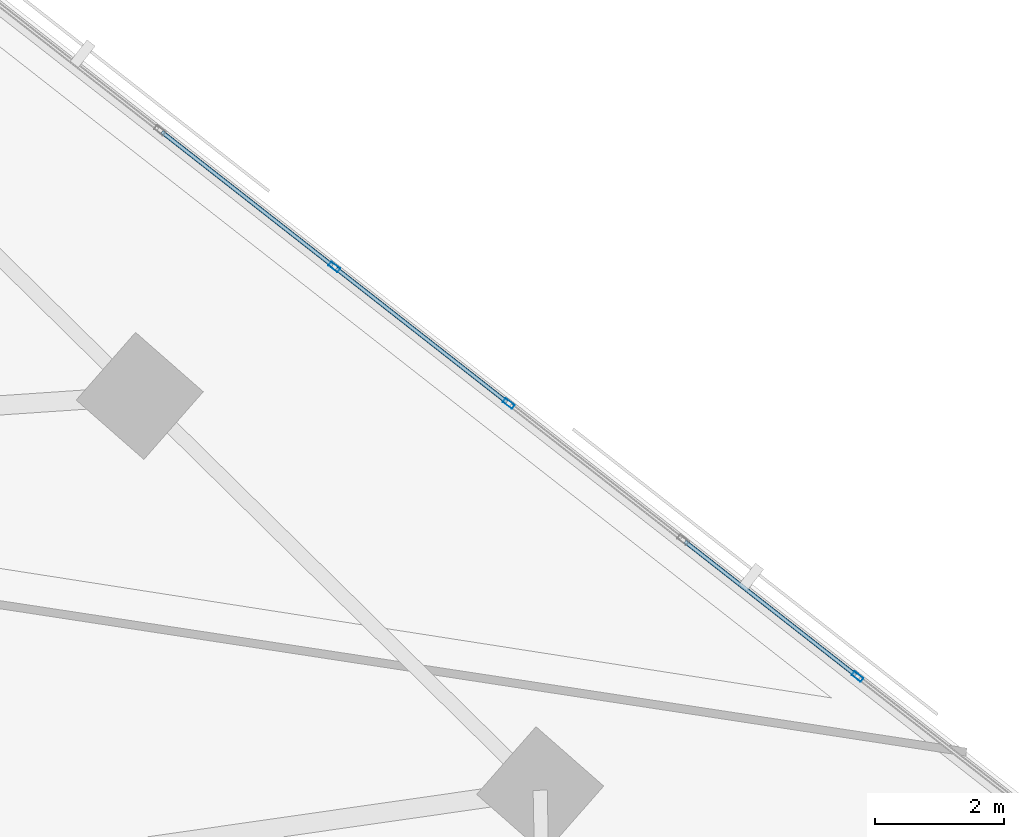
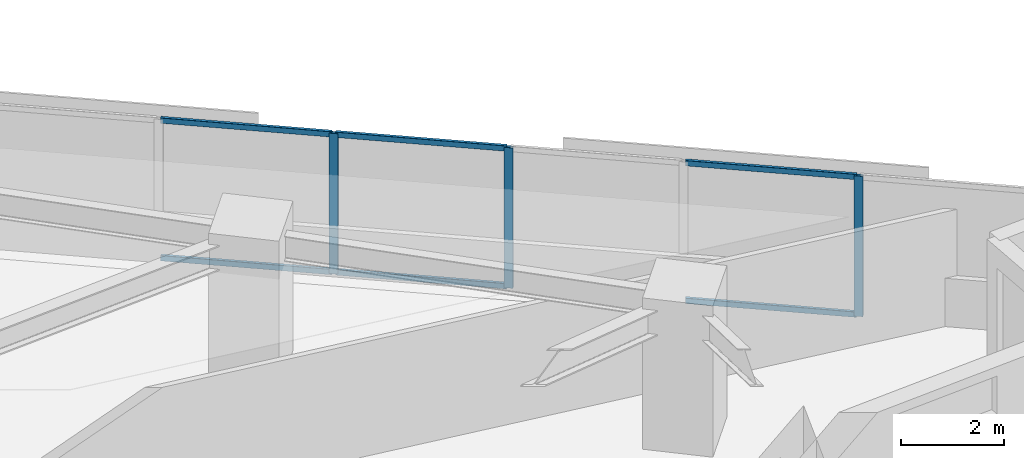
# One storey, part 5 of 16: 9 members, 1 element without a shape of its own.
"""IFC4 building model written with IfcOpenShell, lengths in metres."""

from ifc_helpers import new_model, si_unit, direction, frame, origin, origin_2d, place, context, subcontext, project, spatial, hollow_rectangle, extrude, material, material_profile, profile_set, type_object, element, aggregate, save


model = new_model("IFC4")

# Units and contexts
model_context = context("Model", 3, precision=1e-05, world=origin(), true_north=direction((0.0, 1.0)))
body_context = subcontext(model_context, "Body", "Model", "MODEL_VIEW")
ifc_project = project(units=[si_unit("LENGTHUNIT", "METRE"), si_unit("AREAUNIT", "SQUARE_METRE"), si_unit("VOLUMEUNIT", "CUBIC_METRE"), si_unit("PLANEANGLEUNIT", "RADIAN"), si_unit("MASSUNIT", "GRAM", prefix="KILO")], contexts=[model_context])

# Site, building, storey
site_placement = place(None, origin())
site = spatial("IfcSite", under=ifc_project, at=site_placement, CompositionType="ELEMENT")
building_placement = place(site_placement, origin())
building = spatial("IfcBuilding", under=site, at=building_placement, Name="Narakoshi Arena Tower", CompositionType="ELEMENT")
storey_placement = place(building_placement, frame((0.0, 0.0, 88.5)))
storey = spatial("IfcBuildingStorey", under=building, at=storey_placement, Name="L23", CompositionType="ELEMENT", Elevation=88.5)

# Curtain wall, members
ifc_material = material(Name="Anodised bronze aluminium 6063-T6", Category="aluminium")
curtain_wall_type = type_object("IfcCurtainWallType", Name="CW-HYP-LOW", PredefinedType="NOTDEFINED", material=ifc_material)
curtain_wall_placement = place(storey_placement, origin())
curtain_wall = element("IfcCurtainWall", 1, at=curtain_wall_placement, inside=storey, type_object=curtain_wall_type, Name="L23 Folded Hypotenuse Curtain Wall 1-1", PredefinedType="NOTDEFINED")
ifc_material_profile_1 = material_profile(ifc_material, hollow_rectangle(XDim=0.074951171875, YDim=0.179931640625, WallThickness=0.00390625, OuterFilletRadius=0.0048828125, at=origin_2d()), Name="MUL180x75x4")
ifc_profile_set_1 = profile_set([ifc_material_profile_1], Name="Anodised bronze aluminium 6063-T6")
member_type_1 = type_object("IfcMemberType", Name="MEM-MUL-180", PredefinedType="MULLION", material=ifc_profile_set_1)
member_1_placement = place(storey_placement, frame((118.150634765625, 40.435791015625, 0.0), z_axis=(0.0, 0.0, 1.0), x_axis=(-0.616458234641, -0.787387607817, 0.0)))
member_1 = element("IfcMember", 2, at=member_1_placement, type_object=member_type_1, Name="CW-01 mullion 2", PredefinedType="MULLION", context=body_context, shape_type="SweptSolid", body=[
    extrude(hollow_rectangle(XDim=0.074951171875, YDim=0.179931640625, WallThickness=0.00390625, OuterFilletRadius=0.0048828125, at=origin_2d()), origin(), (0.0, 0.0, 1.0), 3.340087890625),
])
member_2_placement = place(storey_placement, frame((112.7275390625, 44.681640625, 0.0), z_axis=(0.0, 0.0, 1.0), x_axis=(-0.616458234641, -0.787387607817, 0.0)))
member_2 = element("IfcMember", 3, at=member_2_placement, type_object=member_type_1, Name="CW-01 mullion 4", PredefinedType="MULLION", context=body_context, shape_type="SweptSolid", body=[
    extrude(hollow_rectangle(XDim=0.074951171875, YDim=0.179931640625, WallThickness=0.00390625, OuterFilletRadius=0.0048828125, at=origin_2d()), origin(), (0.0, 0.0, 1.0), 3.340087890625),
])
member_3_placement = place(storey_placement, frame((110.015869140625, 46.8046875, 0.0), z_axis=(0.0, 0.0, 1.0), x_axis=(-0.616458234641, -0.787387607817, 0.0)))
member_3 = element("IfcMember", 4, at=member_3_placement, type_object=member_type_1, Name="CW-01 mullion 5", PredefinedType="MULLION", context=body_context, shape_type="SweptSolid", body=[
    extrude(hollow_rectangle(XDim=0.074951171875, YDim=0.179931640625, WallThickness=0.00390625, OuterFilletRadius=0.0048828125, at=origin_2d()), origin(), (0.0, 0.0, 1.0), 3.340087890625),
])
ifc_material_profile_2 = material_profile(ifc_material, hollow_rectangle(XDim=0.06494140625, YDim=0.1298828125, WallThickness=0.00390625, OuterFilletRadius=0.0048828125, at=origin_2d()), Name="TRN130x65x4")
ifc_profile_set_2 = profile_set([ifc_material_profile_2], Name="Anodised bronze aluminium 6063-T6")
member_type_2 = type_object("IfcMemberType", Name="MEM-TRN-130", PredefinedType="USERDEFINED", material=ifc_profile_set_2)
member_4_placement = place(storey_placement, frame((118.12109375, 40.458984375, 0.032470703125), z_axis=(-0.787400998112, 0.616441131149, 0.0), x_axis=(-0.616441131149, -0.787400998112, 0.0)))
member_4 = element("IfcMember", 5, at=member_4_placement, type_object=member_type_2, Name="CW-01 transom 2.1", ObjectType="TRANSOM", PredefinedType="USERDEFINED", context=body_context, shape_type="SweptSolid", body=[
    extrude(hollow_rectangle(XDim=0.06494140625, YDim=0.1298828125, WallThickness=0.00390625, OuterFilletRadius=0.0048828125, at=origin_2d()), origin(), (0.0, 0.0, 1.0), 3.368896484375),
])
member_5_placement = place(storey_placement, frame((118.12109375, 40.458984375, 3.3076171875), z_axis=(-0.787400998112, 0.616441131149, 0.0), x_axis=(-0.616441131149, -0.787400998112, 0.0)))
member_5 = element("IfcMember", 6, at=member_5_placement, type_object=member_type_2, Name="CW-01 transom 2.2", ObjectType="TRANSOM", PredefinedType="USERDEFINED", context=body_context, shape_type="SweptSolid", body=[
    extrude(hollow_rectangle(XDim=0.06494140625, YDim=0.1298828125, WallThickness=0.00390625, OuterFilletRadius=0.0048828125, at=origin_2d()), origin(), (0.0, 0.0, 1.0), 3.368896484375),
])
member_6_placement = place(storey_placement, frame((112.697998046875, 44.704833984375, 0.032470703125), z_axis=(-0.787400998112, 0.616441131149, 0.0), x_axis=(-0.616441131149, -0.787400998112, 0.0)))
member_6 = element("IfcMember", 7, at=member_6_placement, type_object=member_type_2, Name="CW-01 transom 4.1", ObjectType="TRANSOM", PredefinedType="USERDEFINED", context=body_context, shape_type="SweptSolid", body=[
    extrude(hollow_rectangle(XDim=0.06494140625, YDim=0.1298828125, WallThickness=0.00390625, OuterFilletRadius=0.0048828125, at=origin_2d()), origin(), (0.0, 0.0, 1.0), 3.368896484375),
])
member_7_placement = place(storey_placement, frame((112.697998046875, 44.704833984375, 3.3076171875), z_axis=(-0.787400998112, 0.616441131149, 0.0), x_axis=(-0.616441131149, -0.787400998112, 0.0)))
member_7 = element("IfcMember", 8, at=member_7_placement, type_object=member_type_2, Name="CW-01 transom 4.2", ObjectType="TRANSOM", PredefinedType="USERDEFINED", context=body_context, shape_type="SweptSolid", body=[
    extrude(hollow_rectangle(XDim=0.06494140625, YDim=0.1298828125, WallThickness=0.00390625, OuterFilletRadius=0.0048828125, at=origin_2d()), origin(), (0.0, 0.0, 1.0), 3.368896484375),
])
member_8_placement = place(storey_placement, frame((109.986328125, 46.827880859375, 0.032470703125), z_axis=(-0.787373456673, 0.616476309137, 0.0), x_axis=(-0.616476309137, -0.787373456673, 0.0)))
member_8 = element("IfcMember", 9, at=member_8_placement, type_object=member_type_2, Name="CW-01 transom 5.1", ObjectType="TRANSOM", PredefinedType="USERDEFINED", context=body_context, shape_type="SweptSolid", body=[
    extrude(hollow_rectangle(XDim=0.06494140625, YDim=0.1298828125, WallThickness=0.00390625, OuterFilletRadius=0.0048828125, at=origin_2d()), origin(), (0.0, 0.0, 1.0), 3.36865234375),
])
member_9_placement = place(storey_placement, frame((109.986328125, 46.827880859375, 3.3076171875), z_axis=(-0.787373456673, 0.616476309137, 0.0), x_axis=(-0.616476309137, -0.787373456673, 0.0)))
member_9 = element("IfcMember", 10, at=member_9_placement, type_object=member_type_2, Name="CW-01 transom 5.2", ObjectType="TRANSOM", PredefinedType="USERDEFINED", context=body_context, shape_type="SweptSolid", body=[
    extrude(hollow_rectangle(XDim=0.06494140625, YDim=0.1298828125, WallThickness=0.00390625, OuterFilletRadius=0.0048828125, at=origin_2d()), origin(), (0.0, 0.0, 1.0), 3.36865234375),
])
aggregate(curtain_wall, [member_1, member_2, member_3, member_4, member_5, member_6, member_7, member_8, member_9])

save(model, "model.ifc")
